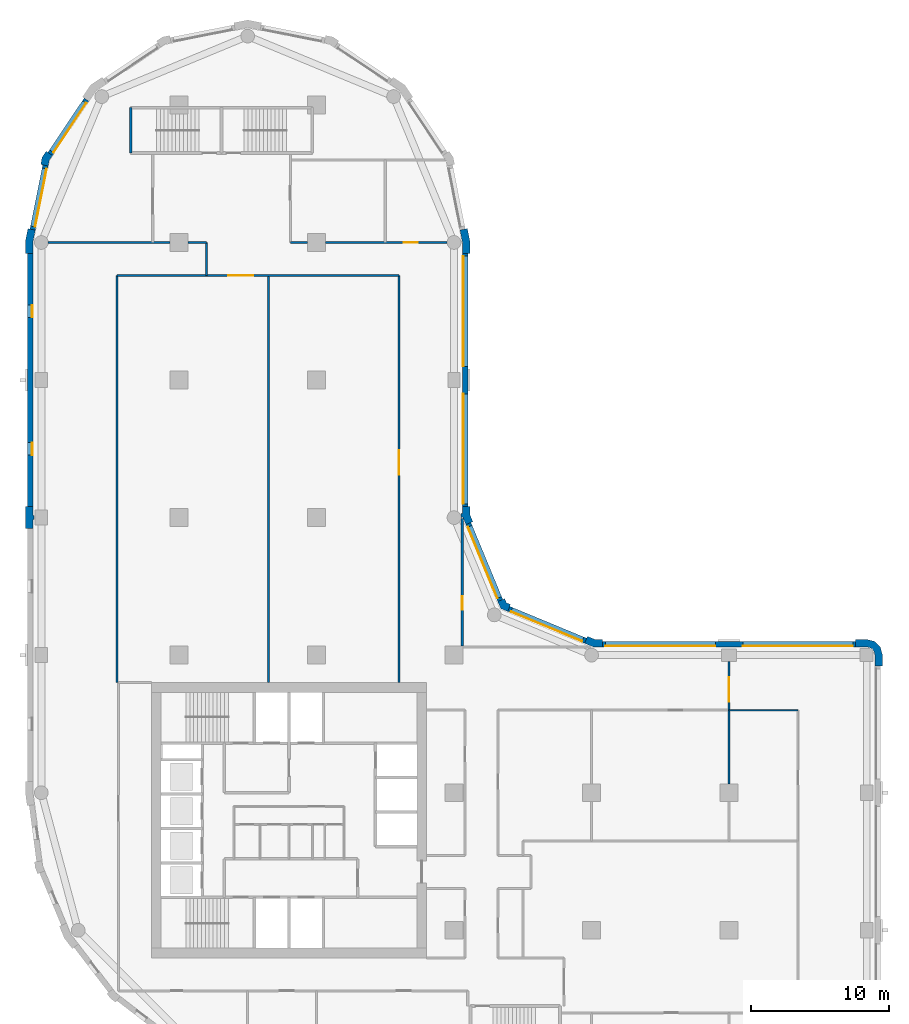
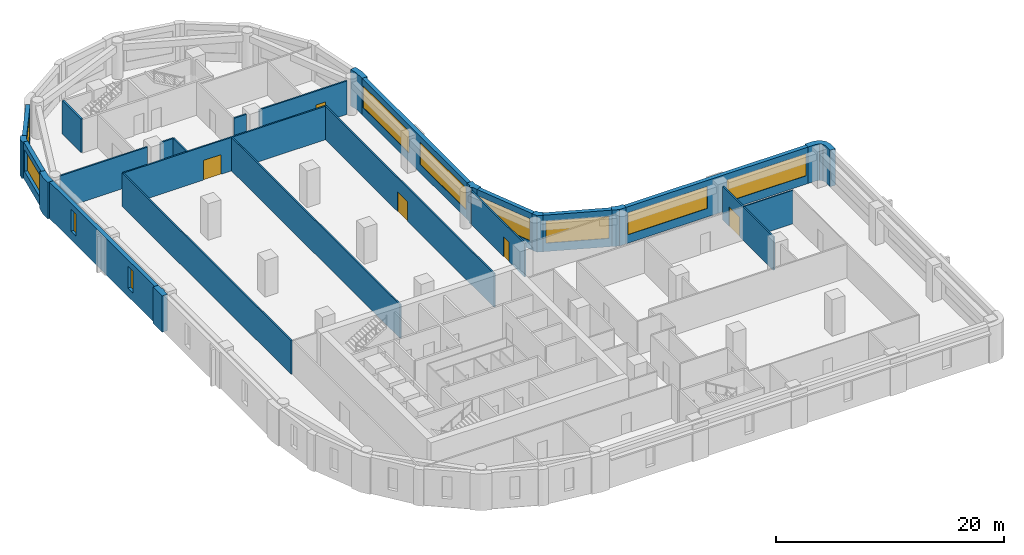
# One storey, part 5 of 9: 28 walls, 10 windows, 5 doors, 15 openings.
"""IFC4 building model written with IfcOpenShell, lengths in metres."""

from ifc_helpers import new_model, si_unit, direction, frame, frame_2d, origin, place, context, subcontext, project, spatial, polyline, rectangle, outline, extrude, material, layer, layer_set, type_object, element, fill, save


model = new_model("IFC4")

# Units and contexts
model_context = context("Model", 3, precision=1e-05, world=origin(), true_north=direction((0.0, 1.0)))
body_context = subcontext(model_context, "Body", "Model", "MODEL_VIEW")
ifc_project = project(units=[si_unit("LENGTHUNIT", "METRE"), si_unit("AREAUNIT", "SQUARE_METRE"), si_unit("VOLUMEUNIT", "CUBIC_METRE"), si_unit("PLANEANGLEUNIT", "RADIAN"), si_unit("MASSUNIT", "GRAM", prefix="KILO")], contexts=[model_context])

# Site, building, storey
site_placement = place(None, origin())
site = spatial("IfcSite", under=ifc_project, at=site_placement, CompositionType="ELEMENT")
building_placement = place(site_placement, origin())
building = spatial("IfcBuilding", under=site, at=building_placement, Name="Qaws Garden Tower", CompositionType="ELEMENT")
storey_placement = place(building_placement, frame((0.0, 0.0, 151.199951171875)))
storey = spatial("IfcBuildingStorey", under=building, at=storey_placement, Name="L36", CompositionType="ELEMENT", Elevation=151.199951171875)

# Wall
ifc_material_1 = material(Name="Clay facing brick masonry", Category="masonry")
ifc_layer_1 = layer(ifc_material_1, 0.550048828125)
ifc_layer_set_1 = layer_set([ifc_layer_1], Name="Clay facing brick masonry")
wall_type_1 = type_object("IfcWallType", Name="Brick corner pier 550 x 2400", PredefinedType="SOLIDWALL", material=ifc_layer_set_1)
placement = place(storey_placement, origin())
element("IfcWall", 1, at=placement, inside=storey, type_object=wall_type_1, Name="E-L36-pier-07", PredefinedType="SOLIDWALL", context=body_context, shape_type="SweptSolid", body=[
    extrude(outline(polyline([(61.0, 29.199951171875), (61.14990234375, 29.199951171875), (61.14990234375, 30.0), (60.995849609375, 30.574951171875), (60.574951171875, 30.995849609375), (60.0, 31.14990234375), (59.199951171875, 31.14990234375), (59.199951171875, 31.0), (59.199951171875, 30.60009765625), (60.0, 30.60009765625), (60.300048828125, 30.51953125), (60.51953125, 30.300048828125), (60.60009765625, 30.0), (60.60009765625, 29.199951171875), (61.0, 29.199951171875)])), origin(), (0.0, 0.0, 1.0), 3.900146484375),
])

# Wall, openings, windows
ifc_material_2 = material(Name="Clay facing brick masonry", Category="masonry")
ifc_layer_2 = layer(ifc_material_2, 0.39990234375)
ifc_layer_set_2 = layer_set([ifc_layer_2], Name="Clay facing brick masonry")
wall_type_2 = type_object("IfcWallType", Name="Brick infill wall 400", PredefinedType="SOLIDWALL", material=ifc_layer_set_2)
wall_2_placement = place(storey_placement, frame((59.199951171875, 30.800048828125, 0.0), z_axis=(0.0, 0.0, 1.0), x_axis=(-1.0, 0.0, 0.0)))
wall_2 = element("IfcWall", 2, at=wall_2_placement, inside=storey, type_object=wall_type_2, Name="E-L36-infill-07", PredefinedType="SOLIDWALL", context=body_context, shape_type="SweptSolid", body=[
    extrude(rectangle(XDim=18.39990234375, YDim=0.39990234375, at=frame_2d((9.199951171875, 0.0))), origin(), (0.0, 0.0, 1.0), 3.900146484375),
])
opening_1_placement = place(wall_2_placement, frame((0.199951171875, 0.0, 0.89990234375)))
opening_1 = element("IfcOpeningElement", 3, at=opening_1_placement, cuts=wall_2, Name="Opening W01", PredefinedType="OPENING", context=body_context, shape_type="SweptSolid", body=[
    extrude(rectangle(XDim=8.0, YDim=2.35009765625, at=frame_2d((4.0, 1.175048828125))), frame((0.0, 0.2099609375, 0.0), z_axis=(0.0, -1.0, 0.0), x_axis=(1.0, 0.0, 0.0)), (0.0, 0.0, 1.0), 0.419921875),
])
opening_2_placement = place(wall_2_placement, frame((10.199951171875, 0.0, 0.89990234375)))
opening_2 = element("IfcOpeningElement", 4, at=opening_2_placement, cuts=wall_2, Name="Opening W01", PredefinedType="OPENING", context=body_context, shape_type="SweptSolid", body=[
    extrude(rectangle(XDim=8.0, YDim=2.35009765625, at=frame_2d((4.0, 1.175048828125))), frame((0.0, 0.2099609375, 0.0), z_axis=(0.0, -1.0, 0.0), x_axis=(1.0, 0.0, 0.0)), (0.0, 0.0, 1.0), 0.419921875),
])
ifc_material_3 = material(Name="Aluminium framed window, clear glazing", Category="aluminium")
window_type_1 = type_object("IfcWindowType", Name="Ribbon window 8000 x 2350", PartitioningType="DOUBLE_PANEL_VERTICAL", PredefinedType="WINDOW", material=ifc_material_3)
window_1_placement = place(opening_1_placement, origin())
window_1 = element("IfcWindow", 5, at=window_1_placement, inside=storey, type_object=window_type_1, Name="E-L36-window-07-0", OverallHeight=2.35009765625, OverallWidth=8.0, PartitioningType="SINGLE_PANEL", PredefinedType="WINDOW", context=body_context, shape_type="SweptSolid", body=[
    extrude(rectangle(XDim=8.0, YDim=2.35009765625, at=frame_2d((4.0, 1.175048828125))), frame((0.0, 0.159912109375, 0.0), z_axis=(0.0, -1.0, 0.0), x_axis=(1.0, 0.0, 0.0)), (0.0, 0.0, 1.0), 0.06005859375),
])
fill(opening_1, window_1)
window_2_placement = place(opening_2_placement, origin())
window_2 = element("IfcWindow", 6, at=window_2_placement, inside=storey, type_object=window_type_1, Name="E-L36-window-08-0", OverallHeight=2.35009765625, OverallWidth=8.0, PartitioningType="SINGLE_PANEL", PredefinedType="WINDOW", context=body_context, shape_type="SweptSolid", body=[
    extrude(rectangle(XDim=8.0, YDim=2.35009765625, at=frame_2d((4.0, 1.175048828125))), frame((0.0, 0.159912109375, 0.0), z_axis=(0.0, -1.0, 0.0), x_axis=(1.0, 0.0, 0.0)), (0.0, 0.0, 1.0), 0.06005859375),
])
fill(opening_2, window_2)

# Wall, opening, window
wall_3_placement = place(storey_placement, frame((39.56689453125, 31.04541015625, 0.0), z_axis=(0.0, 0.0, 1.0), x_axis=(-0.923891000409, 0.382655745237, 0.0)))
wall_3 = element("IfcWall", 7, at=wall_3_placement, inside=storey, type_object=wall_type_2, Name="E-L36-infill-09", PredefinedType="SOLIDWALL", context=body_context, shape_type="SweptSolid", body=[
    extrude(rectangle(XDim=6.053466796875, YDim=0.39990234375, at=frame_2d((3.02685546875, 0.0))), origin(), (0.0, 0.0, 1.0), 3.900146484375),
])
opening_3_placement = place(wall_3_placement, frame((0.226806640625, 0.0, 0.89990234375)))
opening_3 = element("IfcOpeningElement", 8, at=opening_3_placement, cuts=wall_3, Name="Opening W04", PredefinedType="OPENING", context=body_context, shape_type="SweptSolid", body=[
    extrude(rectangle(XDim=5.60009765625, YDim=2.35009765625, at=frame_2d((2.800048828125, 1.175048828125))), frame((0.0, 0.2099609375, 0.0), z_axis=(0.0, -1.0, 0.0), x_axis=(1.0, 0.0, 0.0)), (0.0, 0.0, 1.0), 0.419921875),
])
ifc_material_4 = material(Name="Aluminium framed window, clear glazing", Category="aluminium")
window_type_2 = type_object("IfcWindowType", Name="Ribbon window 5600 x 2350", PartitioningType="DOUBLE_PANEL_VERTICAL", PredefinedType="WINDOW", material=ifc_material_4)
window_3_placement = place(opening_3_placement, origin())
window_3 = element("IfcWindow", 9, at=window_3_placement, inside=storey, type_object=window_type_2, Name="E-L36-window-09-0", OverallHeight=2.35009765625, OverallWidth=5.60009765625, PartitioningType="SINGLE_PANEL", PredefinedType="WINDOW", context=body_context, shape_type="SweptSolid", body=[
    extrude(rectangle(XDim=5.60009765625, YDim=2.35009765625, at=frame_2d((2.800048828125, 1.175048828125))), frame((0.0, 0.159912109375, 0.0), z_axis=(0.0, -1.0, 0.0), x_axis=(1.0, 0.0, 0.0)), (0.0, 0.0, 1.0), 0.06005859375),
])
fill(opening_3, window_3)

wall_4_placement = place(storey_placement, frame((33.36181640625, 33.97412109375, 0.0), z_axis=(0.0, 0.0, 1.0), x_axis=(-0.382655745237, 0.923891000409, 0.0)))
wall_4 = element("IfcWall", 10, at=wall_4_placement, inside=storey, type_object=wall_type_2, Name="E-L36-infill-10", PredefinedType="SOLIDWALL", context=body_context, shape_type="SweptSolid", body=[
    extrude(rectangle(XDim=6.053466796875, YDim=0.39990234375, at=frame_2d((3.02685546875, 0.0))), origin(), (0.0, 0.0, 1.0), 3.900146484375),
])
opening_4_placement = place(wall_4_placement, frame((0.226806640625, 0.0, 0.89990234375)))
opening_4 = element("IfcOpeningElement", 11, at=opening_4_placement, cuts=wall_4, Name="Opening W04", PredefinedType="OPENING", context=body_context, shape_type="SweptSolid", body=[
    extrude(rectangle(XDim=5.60009765625, YDim=2.35009765625, at=frame_2d((2.800048828125, 1.175048828125))), frame((0.0, 0.2099609375, 0.0), z_axis=(0.0, -1.0, 0.0), x_axis=(1.0, 0.0, 0.0)), (0.0, 0.0, 1.0), 0.419921875),
])
window_4_placement = place(opening_4_placement, origin())
window_4 = element("IfcWindow", 12, at=window_4_placement, inside=storey, type_object=window_type_2, Name="E-L36-window-10-0", OverallHeight=2.35009765625, OverallWidth=5.60009765625, PartitioningType="SINGLE_PANEL", PredefinedType="WINDOW", context=body_context, shape_type="SweptSolid", body=[
    extrude(rectangle(XDim=5.60009765625, YDim=2.35009765625, at=frame_2d((2.800048828125, 1.175048828125))), frame((0.0, 0.159912109375, 0.0), z_axis=(0.0, -1.0, 0.0), x_axis=(1.0, 0.0, 0.0)), (0.0, 0.0, 1.0), 0.06005859375),
])
fill(opening_4, window_4)

# Wall, openings, windows
wall_5_placement = place(storey_placement, frame((30.800048828125, 40.800048828125, 0.0), z_axis=(0.0, 0.0, 1.0), x_axis=(0.0, 1.0, 0.0)))
wall_5 = element("IfcWall", 13, at=wall_5_placement, inside=storey, type_object=wall_type_2, Name="E-L36-infill-11", PredefinedType="SOLIDWALL", context=body_context, shape_type="SweptSolid", body=[
    extrude(rectangle(XDim=18.39990234375, YDim=0.39990234375, at=frame_2d((9.199951171875, 0.0))), origin(), (0.0, 0.0, 1.0), 3.900146484375),
])
opening_5_placement = place(wall_5_placement, frame((0.199951171875, 0.0, 0.89990234375)))
opening_5 = element("IfcOpeningElement", 14, at=opening_5_placement, cuts=wall_5, Name="Opening W01", PredefinedType="OPENING", context=body_context, shape_type="SweptSolid", body=[
    extrude(rectangle(XDim=8.0, YDim=2.35009765625, at=frame_2d((4.0, 1.175048828125))), frame((0.0, 0.2099609375, 0.0), z_axis=(0.0, -1.0, 0.0), x_axis=(1.0, 0.0, 0.0)), (0.0, 0.0, 1.0), 0.419921875),
])
opening_6_placement = place(wall_5_placement, frame((10.199951171875, 0.0, 0.89990234375)))
opening_6 = element("IfcOpeningElement", 15, at=opening_6_placement, cuts=wall_5, Name="Opening W01", PredefinedType="OPENING", context=body_context, shape_type="SweptSolid", body=[
    extrude(rectangle(XDim=8.0, YDim=2.35009765625, at=frame_2d((4.0, 1.175048828125))), frame((0.0, 0.2099609375, 0.0), z_axis=(0.0, -1.0, 0.0), x_axis=(1.0, 0.0, 0.0)), (0.0, 0.0, 1.0), 0.419921875),
])
window_5_placement = place(opening_5_placement, origin())
window_5 = element("IfcWindow", 16, at=window_5_placement, inside=storey, type_object=window_type_1, Name="E-L36-window-11-0", OverallHeight=2.35009765625, OverallWidth=8.0, PartitioningType="SINGLE_PANEL", PredefinedType="WINDOW", context=body_context, shape_type="SweptSolid", body=[
    extrude(rectangle(XDim=8.0, YDim=2.35009765625, at=frame_2d((4.0, 1.175048828125))), frame((0.0, 0.159912109375, 0.0), z_axis=(0.0, -1.0, 0.0), x_axis=(1.0, 0.0, 0.0)), (0.0, 0.0, 1.0), 0.06005859375),
])
fill(opening_5, window_5)
window_6_placement = place(opening_6_placement, origin())
window_6 = element("IfcWindow", 17, at=window_6_placement, inside=storey, type_object=window_type_1, Name="E-L36-window-12-0", OverallHeight=2.35009765625, OverallWidth=8.0, PartitioningType="SINGLE_PANEL", PredefinedType="WINDOW", context=body_context, shape_type="SweptSolid", body=[
    extrude(rectangle(XDim=8.0, YDim=2.35009765625, at=frame_2d((4.0, 1.175048828125))), frame((0.0, 0.159912109375, 0.0), z_axis=(0.0, -1.0, 0.0), x_axis=(1.0, 0.0, 0.0)), (0.0, 0.0, 1.0), 0.06005859375),
])
fill(opening_6, window_6)

# Wall, opening, window
wall_6_placement = place(storey_placement, frame((3.28369140625, 70.385986328125, 0.0), z_axis=(0.0, 0.0, 1.0), x_axis=(-0.555541552266, -0.831488775454, 0.0)))
wall_6 = element("IfcWall", 18, at=wall_6_placement, inside=storey, type_object=wall_type_2, Name="E-L36-infill-19", PredefinedType="SOLIDWALL", context=body_context, shape_type="SweptSolid", body=[
    extrude(rectangle(XDim=4.752685546875, YDim=0.39990234375, at=frame_2d((2.37646484375, 0.0))), origin(), (0.0, 0.0, 1.0), 3.900146484375),
])
opening_7_placement = place(wall_6_placement, frame((0.226318359375, 0.0, 0.89990234375)))
opening_7 = element("IfcOpeningElement", 19, at=opening_7_placement, cuts=wall_6, Name="Opening W06", PredefinedType="OPENING", context=body_context, shape_type="SweptSolid", body=[
    extrude(rectangle(XDim=4.300048828125, YDim=2.35009765625, at=frame_2d((2.14990234375, 1.175048828125))), frame((0.0, 0.2099609375, 0.0), z_axis=(0.0, -1.0, 0.0), x_axis=(1.0, 0.0, 0.0)), (0.0, 0.0, 1.0), 0.419921875),
])
ifc_material_5 = material(Name="Aluminium framed window, clear glazing", Category="aluminium")
window_type_3 = type_object("IfcWindowType", Name="Ribbon window 4300 x 2350", PartitioningType="DOUBLE_PANEL_VERTICAL", PredefinedType="WINDOW", material=ifc_material_5)
window_7_placement = place(opening_7_placement, origin())
window_7 = element("IfcWindow", 20, at=window_7_placement, inside=storey, type_object=window_type_3, Name="E-L36-window-19-0", OverallHeight=2.35009765625, OverallWidth=4.300048828125, PartitioningType="SINGLE_PANEL", PredefinedType="WINDOW", context=body_context, shape_type="SweptSolid", body=[
    extrude(rectangle(XDim=4.300048828125, YDim=2.35009765625, at=frame_2d((2.14990234375, 1.175048828125))), frame((0.0, 0.159912109375, 0.0), z_axis=(0.0, -1.0, 0.0), x_axis=(1.0, 0.0, 0.0)), (0.0, 0.0, 1.0), 0.06005859375),
])
fill(opening_7, window_7)

wall_7_placement = place(storey_placement, frame((0.298583984375, 65.60205078125, 0.0), z_axis=(0.0, 0.0, 1.0), x_axis=(-0.195098533057, -0.98078364709, 0.0)))
wall_7 = element("IfcWall", 21, at=wall_7_placement, inside=storey, type_object=wall_type_2, Name="E-L36-infill-20", PredefinedType="SOLIDWALL", context=body_context, shape_type="SweptSolid", body=[
    extrude(rectangle(XDim=4.752685546875, YDim=0.39990234375, at=frame_2d((2.37646484375, 0.0))), origin(), (0.0, 0.0, 1.0), 3.900146484375),
])
opening_8_placement = place(wall_7_placement, frame((0.226318359375, 0.0, 0.89990234375)))
opening_8 = element("IfcOpeningElement", 22, at=opening_8_placement, cuts=wall_7, Name="Opening W06", PredefinedType="OPENING", context=body_context, shape_type="SweptSolid", body=[
    extrude(rectangle(XDim=4.300048828125, YDim=2.35009765625, at=frame_2d((2.14990234375, 1.175048828125))), frame((0.0, 0.2099609375, 0.0), z_axis=(0.0, -1.0, 0.0), x_axis=(1.0, 0.0, 0.0)), (0.0, 0.0, 1.0), 0.419921875),
])
window_8_placement = place(opening_8_placement, origin())
window_8 = element("IfcWindow", 23, at=window_8_placement, inside=storey, type_object=window_type_3, Name="E-L36-window-20-0", OverallHeight=2.35009765625, OverallWidth=4.300048828125, PartitioningType="SINGLE_PANEL", PredefinedType="WINDOW", context=body_context, shape_type="SweptSolid", body=[
    extrude(rectangle(XDim=4.300048828125, YDim=2.35009765625, at=frame_2d((2.14990234375, 1.175048828125))), frame((0.0, 0.159912109375, 0.0), z_axis=(0.0, -1.0, 0.0), x_axis=(1.0, 0.0, 0.0)), (0.0, 0.0, 1.0), 0.06005859375),
])
fill(opening_8, window_8)

# Wall, openings, windows
wall_8_placement = place(storey_placement, frame((-0.800048828125, 59.199951171875, 0.0), z_axis=(0.0, 0.0, 1.0), x_axis=(0.0, -1.0, 0.0)))
wall_8 = element("IfcWall", 24, at=wall_8_placement, inside=storey, type_object=wall_type_2, Name="E-L36-infill-21", PredefinedType="SOLIDWALL", context=body_context, shape_type="SweptSolid", body=[
    extrude(rectangle(XDim=18.39990234375, YDim=0.39990234375, at=frame_2d((9.199951171875, 0.0))), origin(), (0.0, 0.0, 1.0), 3.900146484375),
])
opening_9_placement = place(wall_8_placement, frame((3.75, 0.0, 0.89990234375)))
opening_9 = element("IfcOpeningElement", 25, at=opening_9_placement, cuts=wall_8, Name="Opening W09", PredefinedType="OPENING", context=body_context, shape_type="SweptSolid", body=[
    extrude(rectangle(XDim=0.89990234375, YDim=2.35009765625, at=frame_2d((0.449951171875, 1.175048828125))), frame((0.0, 0.2099609375, 0.0), z_axis=(0.0, -1.0, 0.0), x_axis=(1.0, 0.0, 0.0)), (0.0, 0.0, 1.0), 0.419921875),
])
opening_10_placement = place(wall_8_placement, frame((13.75, 0.0, 0.89990234375)))
opening_10 = element("IfcOpeningElement", 26, at=opening_10_placement, cuts=wall_8, Name="Opening W09", PredefinedType="OPENING", context=body_context, shape_type="SweptSolid", body=[
    extrude(rectangle(XDim=0.89990234375, YDim=2.35009765625, at=frame_2d((0.449951171875, 1.175048828125))), frame((0.0, 0.2099609375, 0.0), z_axis=(0.0, -1.0, 0.0), x_axis=(1.0, 0.0, 0.0)), (0.0, 0.0, 1.0), 0.419921875),
])
ifc_material_6 = material(Name="Aluminium framed window, clear glazing", Category="aluminium")
window_type_4 = type_object("IfcWindowType", Name="Slit window 900 x 2350", PartitioningType="SINGLE_PANEL", PredefinedType="WINDOW", material=ifc_material_6)
window_9_placement = place(opening_9_placement, origin())
window_9 = element("IfcWindow", 27, at=window_9_placement, inside=storey, type_object=window_type_4, Name="E-L36-window-21-0", OverallHeight=2.35009765625, OverallWidth=0.89990234375, PartitioningType="SINGLE_PANEL", PredefinedType="WINDOW", context=body_context, shape_type="SweptSolid", body=[
    extrude(rectangle(XDim=0.89990234375, YDim=2.35009765625, at=frame_2d((0.449951171875, 1.175048828125))), frame((0.0, 0.159912109375, 0.0), z_axis=(0.0, -1.0, 0.0), x_axis=(1.0, 0.0, 0.0)), (0.0, 0.0, 1.0), 0.06005859375),
])
fill(opening_9, window_9)
window_10_placement = place(opening_10_placement, origin())
window_10 = element("IfcWindow", 28, at=window_10_placement, inside=storey, type_object=window_type_4, Name="E-L36-window-22-0", OverallHeight=2.35009765625, OverallWidth=0.89990234375, PartitioningType="SINGLE_PANEL", PredefinedType="WINDOW", context=body_context, shape_type="SweptSolid", body=[
    extrude(rectangle(XDim=0.89990234375, YDim=2.35009765625, at=frame_2d((0.449951171875, 1.175048828125))), frame((0.0, 0.159912109375, 0.0), z_axis=(0.0, -1.0, 0.0), x_axis=(1.0, 0.0, 0.0)), (0.0, 0.0, 1.0), 0.06005859375),
])
fill(opening_10, window_10)

# Walls
ifc_material_7 = material(Name="Clay facing brick masonry", Category="masonry")
ifc_layer_3 = layer(ifc_material_7, 0.550048828125)
ifc_layer_set_3 = layer_set([ifc_layer_3], Name="Clay facing brick masonry")
wall_type_3 = type_object("IfcWallType", Name="Brick kink pier 550 x 600", PredefinedType="SOLIDWALL", material=ifc_layer_set_3)
element("IfcWall", 29, at=placement, inside=storey, type_object=wall_type_3, Name="E-L36-pier-20", PredefinedType="SOLIDWALL", context=body_context, shape_type="SweptSolid", body=[
    extrude(outline(polyline([(0.47705078125, 66.545166015625), (0.352294921875, 66.628662109375), (0.05859375, 66.18896484375), (-0.044677734375, 65.67041015625), (0.1025390625, 65.64111328125), (0.494873046875, 65.56298828125), (0.57666015625, 65.974365234375), (0.8095703125, 66.322998046875), (0.47705078125, 66.545166015625)])), origin(), (0.0, 0.0, 1.0), 3.900146484375),
])
ifc_material_8 = material(Name="Clay facing brick masonry", Category="masonry")
ifc_layer_4 = layer(ifc_material_8, 0.550048828125)
ifc_layer_set_4 = layer_set([ifc_layer_4], Name="Clay facing brick masonry")
wall_type_4 = type_object("IfcWallType", Name="Brick pier 550 x 1600", PredefinedType="SOLIDWALL", material=ifc_layer_set_4)
element("IfcWall", 30, at=placement, inside=storey, type_object=wall_type_4, Name="E-L36-pier-09", PredefinedType="SOLIDWALL", context=body_context, shape_type="SweptSolid", body=[
    extrude(outline(polyline([(40.800048828125, 31.0), (40.800048828125, 31.14990234375), (40.228759765625, 31.14990234375), (39.700927734375, 31.36865234375), (39.6435546875, 31.22998046875), (39.490478515625, 30.860595703125), (40.119384765625, 30.60009765625), (40.800048828125, 30.60009765625), (40.800048828125, 31.0)])), origin(), (0.0, 0.0, 1.0), 3.900146484375),
])
element("IfcWall", 31, at=placement, inside=storey, type_object=wall_type_4, Name="E-L36-pier-10", PredefinedType="SOLIDWALL", context=body_context, shape_type="SweptSolid", body=[
    extrude(outline(polyline([(34.05078125, 33.546630859375), (34.108154296875, 33.685302734375), (33.80908203125, 33.80908203125), (33.685302734375, 34.108154296875), (33.546630859375, 34.05078125), (33.177001953125, 33.897705078125), (33.38818359375, 33.38818359375), (33.897705078125, 33.177001953125), (34.05078125, 33.546630859375)])), origin(), (0.0, 0.0, 1.0), 3.900146484375),
])
element("IfcWall", 32, at=placement, inside=storey, type_object=wall_type_4, Name="E-L36-pier-11", PredefinedType="SOLIDWALL", context=body_context, shape_type="SweptSolid", body=[
    extrude(outline(polyline([(30.6201171875, 39.995361328125), (30.6201171875, 40.071044921875), (30.860595703125, 39.490478515625), (31.22998046875, 39.6435546875), (31.36865234375, 39.700927734375), (31.14990234375, 40.228759765625), (31.14990234375, 40.800048828125), (31.0, 40.800048828125), (30.60009765625, 40.800048828125), (30.60009765625, 40.29541015625), (30.5, 40.29541015625), (30.5, 39.995361328125), (30.6201171875, 39.995361328125)])), origin(), (0.0, 0.0, 1.0), 3.900146484375),
])
element("IfcWall", 33, at=placement, inside=storey, type_object=wall_type_4, Name="E-L36-pier-13", PredefinedType="SOLIDWALL", context=body_context, shape_type="SweptSolid", body=[
    extrude(outline(polyline([(31.0, 59.199951171875), (31.14990234375, 59.199951171875), (31.14990234375, 60.11328125), (30.971923828125, 61.009033203125), (30.82470703125, 60.979736328125), (30.432373046875, 60.901611328125), (30.60009765625, 60.05908203125), (30.60009765625, 59.199951171875), (31.0, 59.199951171875)])), origin(), (0.0, 0.0, 1.0), 3.900146484375),
])
element("IfcWall", 34, at=placement, inside=storey, type_object=wall_type_4, Name="E-L36-pier-21", PredefinedType="SOLIDWALL", context=body_context, shape_type="SweptSolid", body=[
    extrude(outline(polyline([(-0.82470703125, 60.979736328125), (-0.971923828125, 61.009033203125), (-1.14990234375, 60.11328125), (-1.14990234375, 59.199951171875), (-1.0, 59.199951171875), (-0.60009765625, 59.199951171875), (-0.60009765625, 60.05908203125), (-0.432373046875, 60.901611328125), (-0.82470703125, 60.979736328125)])), origin(), (0.0, 0.0, 1.0), 3.900146484375),
])
element("IfcWall", 35, at=placement, inside=storey, type_object=wall_type_4, Name="E-L36-pier-23", PredefinedType="SOLIDWALL", context=body_context, shape_type="SweptSolid", body=[
    extrude(outline(polyline([(-0.60009765625, 39.199951171875), (-0.60009765625, 39.85009765625), (-0.550048828125, 39.85009765625), (-0.550048828125, 40.14990234375), (-0.60009765625, 40.14990234375), (-0.60009765625, 40.800048828125), (-1.0, 40.800048828125), (-1.14990234375, 40.800048828125), (-1.14990234375, 40.0), (-1.14990234375, 39.199951171875), (-1.0, 39.199951171875), (-0.60009765625, 39.199951171875)])), origin(), (0.0, 0.0, 1.0), 3.900146484375),
])
ifc_material_9 = material(Name="Concrete C70", Category="concrete")
ifc_layer_5 = layer(ifc_material_9, 0.199951171875)
ifc_layer_set_5 = layer_set([ifc_layer_5], Name="Concrete C70")
wall_type_5 = type_object("IfcWallType", Name="Core shaft wall 200 C70", PredefinedType="SHEAR", material=ifc_layer_set_5)
wall_16_placement = place(storey_placement, frame((6.5, 66.5, 0.0), z_axis=(0.0, 0.0, 1.0), x_axis=(0.0, 1.0, 0.0)))
element("IfcWall", 36, at=wall_16_placement, inside=storey, type_object=wall_type_5, Name="Shaft wall", PredefinedType="SHEAR", context=body_context, shape_type="SweptSolid", body=[
    extrude(rectangle(XDim=3.300048828125, YDim=0.199951171875, at=frame_2d((1.64990234375, 0.0))), origin(), (0.0, 0.0, 1.0), 3.580078125),
])
ifc_material_10 = material(Name="Gypsum board partition")
ifc_layer_6 = layer(ifc_material_10, 0.10009765625)
ifc_layer_set_6 = layer_set([ifc_layer_6], Name="Gypsum board partition")
wall_type_6 = type_object("IfcWallType", Name="PARTITION 100", PredefinedType="PARTITIONING", material=ifc_layer_set_6)
wall_17_placement = place(storey_placement, frame((50.0, 26.0, 0.0), z_axis=(0.0, 0.0, 1.0), x_axis=(1.0, 0.0, 0.0)))
element("IfcWall", 37, at=wall_17_placement, inside=storey, type_object=wall_type_6, Name="O-L36-wall-003", PredefinedType="PARTITIONING", context=body_context, shape_type="SweptSolid", body=[
    extrude(rectangle(XDim=5.0, YDim=0.10009765625, at=frame_2d((2.5, 0.0))), origin(), (0.0, 0.0, 1.0), 3.580078125),
])
ifc_material_11 = material(Name="Gypsum board partition")
ifc_layer_7 = layer(ifc_material_11, 0.14990234375)
ifc_layer_set_7 = layer_set([ifc_layer_7], Name="Gypsum board partition")
wall_type_7 = type_object("IfcWallType", Name="PARTITION 150 EI 60", PredefinedType="PARTITIONING", material=ifc_layer_set_7)
wall_18_placement = place(storey_placement, frame((5.5, 28.0, 0.0), z_axis=(0.0, 0.0, 1.0), x_axis=(0.0, 1.0, 0.0)))
element("IfcWall", 38, at=wall_18_placement, inside=storey, type_object=wall_type_7, Name="O-L36-wall-004", PredefinedType="PARTITIONING", context=body_context, shape_type="SweptSolid", body=[
    extrude(rectangle(XDim=29.60009765625, YDim=0.14990234375, at=frame_2d((14.800048828125, 0.0))), origin(), (0.0, 0.0, 1.0), 3.580078125),
])
wall_19_placement = place(storey_placement, frame((12.0, 57.60009765625, 0.0), z_axis=(0.0, 0.0, 1.0), x_axis=(0.0, 1.0, 0.0)))
element("IfcWall", 39, at=wall_19_placement, inside=storey, type_object=wall_type_7, Name="O-L36-wall-007", PredefinedType="PARTITIONING", context=body_context, shape_type="SweptSolid", body=[
    extrude(rectangle(XDim=2.39990234375, YDim=0.14990234375, at=frame_2d((1.199951171875, 0.0))), origin(), (0.0, 0.0, 1.0), 3.580078125),
])
wall_20_placement = place(storey_placement, frame((16.5, 28.0, 0.0), z_axis=(0.0, 0.0, 1.0), x_axis=(0.0, 1.0, 0.0)))
element("IfcWall", 40, at=wall_20_placement, inside=storey, type_object=wall_type_7, Name="O-L36-wall-009", PredefinedType="PARTITIONING", context=body_context, shape_type="SweptSolid", body=[
    extrude(rectangle(XDim=29.60009765625, YDim=0.14990234375, at=frame_2d((14.800048828125, 0.0))), origin(), (0.0, 0.0, 1.0), 3.580078125),
])

# Wall, opening, door
wall_21_placement = place(storey_placement, frame((26.0, 28.0, 0.0), z_axis=(0.0, 0.0, 1.0), x_axis=(0.0, 1.0, 0.0)))
wall_21 = element("IfcWall", 41, at=wall_21_placement, inside=storey, type_object=wall_type_7, Name="O-L36-wall-013", PredefinedType="PARTITIONING", context=body_context, shape_type="SweptSolid", body=[
    extrude(rectangle(XDim=29.60009765625, YDim=0.14990234375, at=frame_2d((14.800048828125, 0.0))), origin(), (0.0, 0.0, 1.0), 3.580078125),
])
opening_11_placement = place(wall_21_placement, frame((15.10009765625, 0.0, 0.0)))
opening_11 = element("IfcOpeningElement", 42, at=opening_11_placement, cuts=wall_21, Name="Opening B204", PredefinedType="OPENING", context=body_context, shape_type="SweptSolid", body=[
    extrude(rectangle(XDim=1.800048828125, YDim=2.10009765625, at=frame_2d((0.89990234375, 1.050048828125))), frame((0.0, 0.0849609375, 0.0), z_axis=(0.0, -1.0, 0.0), x_axis=(1.0, 0.0, 0.0)), (0.0, 0.0, 1.0), 0.169921875),
])
ifc_material_12 = material(Name="Timber door leaf", Category="wood")
door_type_1 = type_object("IfcDoorType", Name="DOUBLE DOOR 1800 X 2100", OperationType="DOUBLE_DOOR_SINGLE_SWING", PredefinedType="DOOR", material=ifc_material_12)
door_1_placement = place(opening_11_placement, origin())
door_1 = element("IfcDoor", 43, at=door_1_placement, inside=storey, type_object=door_type_1, Name="O-L36-door-004", OperationType="DOUBLE_DOOR_SINGLE_SWING", OverallHeight=2.10009765625, OverallWidth=1.800048828125, PredefinedType="DOOR", context=body_context, shape_type="SweptSolid", body=[
    extrude(rectangle(XDim=1.800048828125, YDim=2.10009765625, at=frame_2d((0.89990234375, 1.050048828125))), frame((0.0, 0.02490234375, 0.0), z_axis=(0.0, -1.0, 0.0), x_axis=(1.0, 0.0, 0.0)), (0.0, 0.0, 1.0), 0.050048828125),
])
fill(opening_11, door_1)

wall_22_placement = place(storey_placement, frame((30.60009765625, 30.64990234375, 0.0), z_axis=(0.0, 0.0, 1.0), x_axis=(0.0, 1.0, 0.0)))
wall_22 = element("IfcWall", 44, at=wall_22_placement, inside=storey, type_object=wall_type_7, Name="O-L36-wall-014", PredefinedType="PARTITIONING", context=body_context, shape_type="SweptSolid", body=[
    extrude(rectangle(XDim=9.288330078125, YDim=0.14990234375, at=frame_2d((4.64404296875, 0.0))), origin(), (0.0, 0.0, 1.0), 3.580078125),
])
opening_12_placement = place(wall_22_placement, frame((2.64990234375, 0.0, 0.0)))
opening_12 = element("IfcOpeningElement", 45, at=opening_12_placement, cuts=wall_22, Name="Opening B210", PredefinedType="OPENING", context=body_context, shape_type="SweptSolid", body=[
    extrude(rectangle(XDim=1.0, YDim=2.10009765625, at=frame_2d((0.5, 1.050048828125))), frame((0.0, 0.0849609375, 0.0), z_axis=(0.0, -1.0, 0.0), x_axis=(1.0, 0.0, 0.0)), (0.0, 0.0, 1.0), 0.169921875),
])
ifc_material_13 = material(Name="Timber door leaf", Category="wood")
door_type_2 = type_object("IfcDoorType", Name="TENANCY ENTRANCE DOOR 1000 X 2100", OperationType="SINGLE_SWING_LEFT", PredefinedType="DOOR", material=ifc_material_13)
door_2_placement = place(opening_12_placement, frame((1.0, 0.0, 0.0), z_axis=(0.0, 0.0, 1.0), x_axis=(-1.0, 0.0, 0.0)))
door_2 = element("IfcDoor", 46, at=door_2_placement, inside=storey, type_object=door_type_2, Name="O-L36-door-010", OperationType="SINGLE_SWING_LEFT", OverallHeight=2.10009765625, OverallWidth=1.0, PredefinedType="DOOR", context=body_context, shape_type="SweptSolid", body=[
    extrude(rectangle(XDim=1.0, YDim=2.10009765625, at=frame_2d((0.5, 1.050048828125))), frame((0.0, 0.02490234375, 0.0), z_axis=(0.0, -1.0, 0.0), x_axis=(1.0, 0.0, 0.0)), (0.0, 0.0, 1.0), 0.050048828125),
])
fill(opening_12, door_2)

wall_23_placement = place(storey_placement, frame((50.0, 20.64990234375, 0.0), z_axis=(0.0, 0.0, 1.0), x_axis=(0.0, 1.0, 0.0)))
wall_23 = element("IfcWall", 47, at=wall_23_placement, inside=storey, type_object=wall_type_7, Name="O-L36-wall-029", PredefinedType="PARTITIONING", context=body_context, shape_type="SweptSolid", body=[
    extrude(rectangle(XDim=8.900146484375, YDim=0.14990234375, at=frame_2d((4.4501953125, 0.0))), origin(), (0.0, 0.0, 1.0), 3.580078125),
])
opening_13_placement = place(wall_23_placement, frame((5.949951171875, 0.0, 0.0)))
opening_13 = element("IfcOpeningElement", 48, at=opening_13_placement, cuts=wall_23, Name="Opening B203", PredefinedType="OPENING", context=body_context, shape_type="SweptSolid", body=[
    extrude(rectangle(XDim=1.800048828125, YDim=2.10009765625, at=frame_2d((0.89990234375, 1.050048828125))), frame((0.0, 0.0849609375, 0.0), z_axis=(0.0, -1.0, 0.0), x_axis=(1.0, 0.0, 0.0)), (0.0, 0.0, 1.0), 0.169921875),
])
door_3_placement = place(opening_13_placement, frame((1.800048828125, 0.0, 0.0), z_axis=(0.0, 0.0, 1.0), x_axis=(-1.0, 0.0, 0.0)))
door_3 = element("IfcDoor", 49, at=door_3_placement, inside=storey, type_object=door_type_1, Name="O-L36-door-003", OperationType="DOUBLE_DOOR_SINGLE_SWING", OverallHeight=2.10009765625, OverallWidth=1.800048828125, PredefinedType="DOOR", context=body_context, shape_type="SweptSolid", body=[
    extrude(rectangle(XDim=1.800048828125, YDim=2.10009765625, at=frame_2d((0.89990234375, 1.050048828125))), frame((0.0, 0.02490234375, 0.0), z_axis=(0.0, -1.0, 0.0), x_axis=(1.0, 0.0, 0.0)), (0.0, 0.0, 1.0), 0.050048828125),
])
fill(opening_13, door_3)

wall_24_placement = place(storey_placement, frame((5.5, 57.60009765625, 0.0), z_axis=(0.0, 0.0, 1.0), x_axis=(1.0, 0.0, 0.0)))
wall_24 = element("IfcWall", 50, at=wall_24_placement, inside=storey, type_object=wall_type_7, Name="O-L36-wall-045", PredefinedType="PARTITIONING", context=body_context, shape_type="SweptSolid", body=[
    extrude(rectangle(XDim=20.5, YDim=0.14990234375, at=frame_2d((10.25, 0.0))), origin(), (0.0, 0.0, 1.0), 3.580078125),
])
opening_14_placement = place(wall_24_placement, frame((8.10009765625, 0.0, 0.0)))
opening_14 = element("IfcOpeningElement", 51, at=opening_14_placement, cuts=wall_24, Name="Opening B205", PredefinedType="OPENING", context=body_context, shape_type="SweptSolid", body=[
    extrude(rectangle(XDim=1.800048828125, YDim=2.10009765625, at=frame_2d((0.89990234375, 1.050048828125))), frame((0.0, 0.0849609375, 0.0), z_axis=(0.0, -1.0, 0.0), x_axis=(1.0, 0.0, 0.0)), (0.0, 0.0, 1.0), 0.169921875),
])
door_4_placement = place(opening_14_placement, frame((1.800048828125, 0.0, 0.0), z_axis=(0.0, 0.0, 1.0), x_axis=(-1.0, 0.0, 0.0)))
door_4 = element("IfcDoor", 52, at=door_4_placement, inside=storey, type_object=door_type_1, Name="O-L36-door-005", OperationType="DOUBLE_DOOR_SINGLE_SWING", OverallHeight=2.10009765625, OverallWidth=1.800048828125, PredefinedType="DOOR", context=body_context, shape_type="SweptSolid", body=[
    extrude(rectangle(XDim=1.800048828125, YDim=2.10009765625, at=frame_2d((0.89990234375, 1.050048828125))), frame((0.0, 0.02490234375, 0.0), z_axis=(0.0, -1.0, 0.0), x_axis=(1.0, 0.0, 0.0)), (0.0, 0.0, 1.0), 0.050048828125),
])
fill(opening_14, door_4)

# Walls
wall_25_placement = place(storey_placement, frame((0.5, 60.0, 0.0), z_axis=(0.0, 0.0, 1.0), x_axis=(1.0, 0.0, 0.0)))
element("IfcWall", 53, at=wall_25_placement, inside=storey, type_object=wall_type_7, Name="O-L36-wall-046", PredefinedType="PARTITIONING", context=body_context, shape_type="SweptSolid", body=[
    extrude(rectangle(XDim=8.85009765625, YDim=0.14990234375, at=frame_2d((4.425048828125, 0.0))), origin(), (0.0, 0.0, 1.0), 3.580078125),
])
wall_26_placement = place(storey_placement, frame((10.64990234375, 60.0, 0.0), z_axis=(0.0, 0.0, 1.0), x_axis=(1.0, 0.0, 0.0)))
element("IfcWall", 54, at=wall_26_placement, inside=storey, type_object=wall_type_7, Name="O-L36-wall-047", PredefinedType="PARTITIONING", context=body_context, shape_type="SweptSolid", body=[
    extrude(rectangle(XDim=1.35009765625, YDim=0.14990234375, at=frame_2d((0.675048828125, 0.0))), origin(), (0.0, 0.0, 1.0), 3.580078125),
])
wall_27_placement = place(storey_placement, frame((18.10009765625, 60.0, 0.0), z_axis=(0.0, 0.0, 1.0), x_axis=(1.0, 0.0, 0.0)))
element("IfcWall", 55, at=wall_27_placement, inside=storey, type_object=wall_type_7, Name="O-L36-wall-048", PredefinedType="PARTITIONING", context=body_context, shape_type="SweptSolid", body=[
    extrude(rectangle(XDim=1.25, YDim=0.14990234375, at=frame_2d((0.625, 0.0))), origin(), (0.0, 0.0, 1.0), 3.580078125),
])

# Wall, opening, door
wall_28_placement = place(storey_placement, frame((20.64990234375, 60.0, 0.0), z_axis=(0.0, 0.0, 1.0), x_axis=(1.0, 0.0, 0.0)))
wall_28 = element("IfcWall", 56, at=wall_28_placement, inside=storey, type_object=wall_type_7, Name="O-L36-wall-049", PredefinedType="PARTITIONING", context=body_context, shape_type="SweptSolid", body=[
    extrude(rectangle(XDim=8.85009765625, YDim=0.14990234375, at=frame_2d((4.425048828125, 0.0))), origin(), (0.0, 0.0, 1.0), 3.580078125),
])
opening_15_placement = place(wall_28_placement, frame((5.699951171875, 0.0, 0.0)))
opening_15 = element("IfcOpeningElement", 57, at=opening_15_placement, cuts=wall_28, Name="Opening B209", PredefinedType="OPENING", context=body_context, shape_type="SweptSolid", body=[
    extrude(rectangle(XDim=1.0, YDim=2.10009765625, at=frame_2d((0.5, 1.050048828125))), frame((0.0, 0.0849609375, 0.0), z_axis=(0.0, -1.0, 0.0), x_axis=(1.0, 0.0, 0.0)), (0.0, 0.0, 1.0), 0.169921875),
])
door_5_placement = place(opening_15_placement, origin())
door_5 = element("IfcDoor", 58, at=door_5_placement, inside=storey, type_object=door_type_2, Name="O-L36-door-009", OperationType="SINGLE_SWING_LEFT", OverallHeight=2.10009765625, OverallWidth=1.0, PredefinedType="DOOR", context=body_context, shape_type="SweptSolid", body=[
    extrude(rectangle(XDim=1.0, YDim=2.10009765625, at=frame_2d((0.5, 1.050048828125))), frame((0.0, 0.02490234375, 0.0), z_axis=(0.0, -1.0, 0.0), x_axis=(1.0, 0.0, 0.0)), (0.0, 0.0, 1.0), 0.050048828125),
])
fill(opening_15, door_5)

save(model, "model.ifc")
